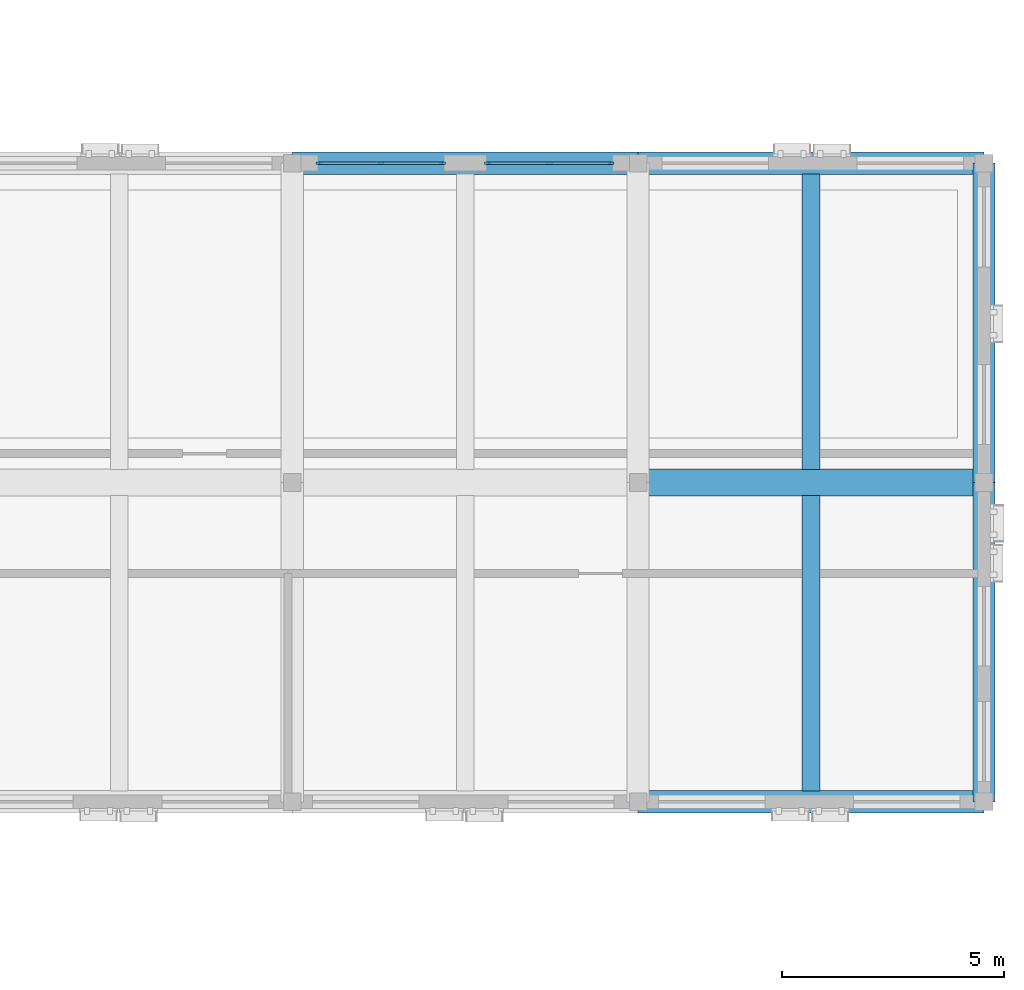
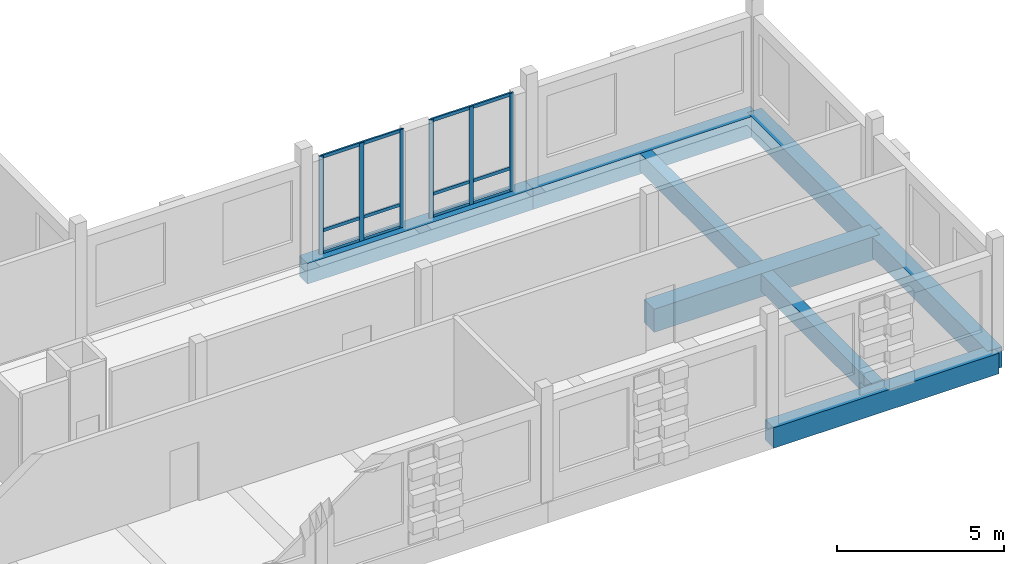
# One storey, part 42 of 99: 12 members, 8 beams, 2 elements without a shape of their own.
"""IFC4 building model written with IfcOpenShell, lengths in metres."""

import ifcopenshell
import ifcopenshell.guid

model = None  # the IFC model being written
_history = None  # IfcOwnerHistory: only IFC2X3 demands one
_inside = {}  # id of a spatial element -> (the spatial element, [elements in it])
_under = {}  # id of a project, library or spatial element -> (it, [spatial elements below it])
_declared = {}  # id of a project -> (the project, [libraries it declares])
_typed = {}  # id of a type object -> (the type object, [elements of that type])
_made_of = {}  # id of a material, layer set ... -> (it, [elements and type objects made of it])


def new_model(schema):
    """Start an empty IFC model of exactly this schema.

    Asked for "IFC4X3", IfcOpenShell would pick the latest addendum, in which some entities
    have other attributes; the version numbers below select the first issue.
    IFC2X3 requires an IfcOwnerHistory on every rooted entity: one is made here for all.
    """
    global model, _history
    if schema == "IFC4X3":
        model = ifcopenshell.file(schema_version=(4, 3, 0, 0))
    else:
        model = ifcopenshell.file(schema=schema)
    _inside.clear()
    _under.clear()
    _declared.clear()
    _typed.clear()
    _made_of.clear()
    _history = None
    if model.schema == "IFC2X3":
        org = make("IfcOrganization", Name="unknown")
        user = make(
            "IfcPersonAndOrganization",
            ThePerson=make("IfcPerson", FamilyName="unknown"),
            TheOrganization=org,
        )
        app = make(
            "IfcApplication",
            ApplicationDeveloper=org,
            Version="unknown",
            ApplicationFullName="unknown",
            ApplicationIdentifier="unknown",
        )
        _history = make(
            "IfcOwnerHistory",
            OwningUser=user,
            OwningApplication=app,
            ChangeAction="ADDED",
            CreationDate=0,
        )
    return model


def make(cls, **values):
    """One entity of the class cls with the attributes given. An attribute that is None is left unset."""
    return model.create_entity(
        cls, **{name: value for name, value in values.items() if value is not None}
    )


def rooted(cls, **values):
    """An entity with a GlobalId (a new one), such as an element, a storey or a relation."""
    return make(cls, GlobalId=ifcopenshell.guid.new(), OwnerHistory=_history, **values)


def si_unit(unit_type, name, prefix=None):
    """IfcSIUnit, for example si_unit("LENGTHUNIT", "METRE", prefix="MILLI")."""
    return make("IfcSIUnit", UnitType=unit_type, Prefix=prefix, Name=name)


def assignment(units):
    """IfcUnitAssignment: the units of a project."""
    return None if units is None else make("IfcUnitAssignment", Units=units)


def point(xyz):
    """IfcCartesianPoint."""
    return None if xyz is None else make("IfcCartesianPoint", Coordinates=xyz)


def direction(xyz):
    """IfcDirection."""
    return None if xyz is None else make("IfcDirection", DirectionRatios=xyz)


def frame(location, z_axis=None, x_axis=None):
    """IfcAxis2Placement3D, a coordinate frame: its origin and axes. An axis left out is left unset."""
    return make(
        "IfcAxis2Placement3D",
        Location=point(location),
        Axis=direction(z_axis),
        RefDirection=direction(x_axis),
    )


def frame_2d(location, x_axis=None):
    """IfcAxis2Placement2D, a coordinate frame in the plane: its origin and x axis."""
    return make(
        "IfcAxis2Placement2D", Location=point(location), RefDirection=direction(x_axis)
    )


def origin():
    """The frame at (0, 0, 0) with its axes left unset."""
    return frame((0.0, 0.0, 0.0))


def origin_2d():
    """The frame at (0, 0) in the plane with its x axis left unset."""
    return frame_2d((0.0, 0.0))


def place(relative_to, where):
    """IfcLocalPlacement: puts the frame where relative to a parent placement (None: the world)."""
    return make(
        "IfcLocalPlacement", PlacementRelTo=relative_to, RelativePlacement=where
    )


def context(
    kind, dimensions, precision=None, world=None, true_north=None, identifier=None
):
    """IfcGeometricRepresentationContext, for example the 3D "Model" context."""
    return make(
        "IfcGeometricRepresentationContext",
        ContextIdentifier=identifier,
        ContextType=kind,
        CoordinateSpaceDimension=dimensions,
        Precision=precision,
        WorldCoordinateSystem=world,
        TrueNorth=true_north,
    )


def subcontext(parent, identifier, kind, view, scale=None):
    """IfcGeometricRepresentationSubContext, for example "Body" below "Model"."""
    return make(
        "IfcGeometricRepresentationSubContext",
        ContextIdentifier=identifier,
        ContextType=kind,
        ParentContext=parent,
        TargetScale=scale,
        TargetView=view,
    )


def project(units=None, contexts=None):
    """IfcProject with its units and contexts."""
    return rooted(
        "IfcProject",
        Name="project",
        RepresentationContexts=contexts,
        UnitsInContext=assignment(units),
    )


def spatial(cls, under=None, at=None, **own):
    """A site, building, storey or space (cls), placed at a placement, below another one or the project."""
    s = rooted(cls, ObjectPlacement=at, **own)
    if under is not None:
        _under.setdefault(under.id(), (under, []))[1].append(s)
    return s


def profile(cls, at=None, kind="AREA", **sizes):
    """A parametric profile (cls). Its sizes go by their IFC names, for example OverallWidth=200.0."""
    return make(cls, ProfileType=kind, Position=at, **sizes)


def rectangle(**sizes):
    """IfcRectangleProfileDef."""
    return profile("IfcRectangleProfileDef", **sizes)


def extrude(swept, where, along, depth):
    """IfcExtrudedAreaSolid: the profile swept, set in the frame where, extruded along a direction by depth."""
    return make(
        "IfcExtrudedAreaSolid",
        SweptArea=swept,
        Position=where,
        ExtrudedDirection=direction(along),
        Depth=depth,
    )


def shape(context_of_items, identifier, shape_type, items):
    """IfcShapeRepresentation: the items that make up one representation, for example the "Body"."""
    return make(
        "IfcShapeRepresentation",
        ContextOfItems=context_of_items,
        RepresentationIdentifier=identifier,
        RepresentationType=shape_type,
        Items=items,
    )


def material(Name=None, Category=None):
    """IfcMaterial."""
    return make("IfcMaterial", Name=Name, Category=Category)


def material_profile(
    of_material, cross_section, Name=None, Category=None, Priority=None
):
    """IfcMaterialProfile: a cross section and its material."""
    return make(
        "IfcMaterialProfile",
        Name=Name,
        Material=of_material,
        Profile=cross_section,
        Priority=Priority,
        Category=Category,
    )


def profile_set(profiles, Name=None, composite=None):
    """IfcMaterialProfileSet."""
    return make(
        "IfcMaterialProfileSet",
        Name=Name,
        MaterialProfiles=profiles,
        CompositeProfile=composite,
    )


def made_of(thing, what):
    """Note that an element or type object is made of a material, layer set ...; save() writes the relation."""
    if what is not None:
        _made_of.setdefault(what.id(), (what, []))[1].append(thing)
    return thing


def type_object(cls, material=None, **own):
    """A type object (cls), such as IfcWallType, which elements share."""
    return made_of(rooted(cls, **own), material)


def element(
    cls,
    number,
    at=None,
    inside=None,
    cuts=None,
    type_object=None,
    material=None,
    context=None,
    identifier="Body",
    shape_type=None,
    held_by="IfcProductDefinitionShape",
    body=None,
    shapes=None,
    **own,
):
    """One element of the class cls, such as IfcWall. Its Tag is "e" and its number.

    at: its placement. inside: the storey or other place that contains it. cuts: it is an
    opening in that element (IfcRelVoidsElement). A single representation is given by context,
    identifier, shape_type and body (its items); several are given by shapes. held_by: the class
    of the entity that holds the representations. save() writes the other relations.
    """
    e = rooted(cls, Tag="e%d" % number, ObjectPlacement=at, **own)
    if body is not None:
        shapes = [shape(context, identifier, shape_type, body)]
    if shapes is not None:
        e.Representation = make(held_by, Representations=shapes)
    if inside is not None:
        _inside.setdefault(inside.id(), (inside, []))[1].append(e)
    if cuts is not None:
        rooted(
            "IfcRelVoidsElement", RelatingBuildingElement=cuts, RelatedOpeningElement=e
        )
    if type_object is not None:
        _typed.setdefault(type_object.id(), (type_object, []))[1].append(e)
    return made_of(e, material)


def aggregate(whole, parts):
    """IfcRelAggregates: a whole, such as a stair, and the parts it consists of."""
    return rooted("IfcRelAggregates", RelatingObject=whole, RelatedObjects=parts)


def save(model, path):
    """Write the relations noted so far, then the file.

    IfcRelAggregates (storeys below a building ...), IfcRelContainedInSpatialStructure (elements
    in a storey), IfcRelDefinesByType, IfcRelAssociatesMaterial and IfcRelDeclares: one each for
    every whole, place, type object, material and project.
    """
    for whole, parts in _under.values():
        aggregate(whole, parts)
    for where, things in _inside.values():
        rooted(
            "IfcRelContainedInSpatialStructure",
            RelatedElements=things,
            RelatingStructure=where,
        )
    for kind, things in _typed.values():
        rooted("IfcRelDefinesByType", RelatedObjects=things, RelatingType=kind)
    for what, things in _made_of.values():
        rooted("IfcRelAssociatesMaterial", RelatedObjects=things, RelatingMaterial=what)
    for by, libraries in _declared.values():
        rooted("IfcRelDeclares", RelatingContext=by, RelatedDefinitions=libraries)
    model.write(path)


model = new_model("IFC4")

# Units and contexts
model_context = context("Model", 3, precision=1e-05, world=origin(), true_north=direction((0.0, 1.0)))
body_context = subcontext(model_context, "Body", "Model", "MODEL_VIEW")
ifc_project = project(units=[si_unit("LENGTHUNIT", "METRE"), si_unit("AREAUNIT", "SQUARE_METRE"), si_unit("VOLUMEUNIT", "CUBIC_METRE"), si_unit("PLANEANGLEUNIT", "RADIAN"), si_unit("MASSUNIT", "GRAM", prefix="KILO")], contexts=[model_context])

# Site, building, storey
site_placement = place(None, origin())
site = spatial("IfcSite", under=ifc_project, at=site_placement, CompositionType="ELEMENT")
building_placement = place(site_placement, origin())
building = spatial("IfcBuilding", under=site, at=building_placement, Name="Kahlenmark Community Centre", CompositionType="ELEMENT")
storey_placement = place(building_placement, frame((0.0, 0.0, 5.39990234375)))
storey = spatial("IfcBuildingStorey", under=building, at=storey_placement, Name="L01", CompositionType="ELEMENT", Elevation=5.39990234375)

# Beams
ifc_material_1 = material(Name="Concrete C35/45", Category="concrete")
ifc_material_profile_1 = material_profile(ifc_material_1, rectangle(XDim=0.60009765625, YDim=0.85009765625, at=origin_2d()), Name="RC 600x850")
ifc_profile_set_1 = profile_set([ifc_material_profile_1], Name="Concrete C35/45")
beam_type_1 = type_object("IfcBeamType", Name="BT-BEAM-RC600x850", PredefinedType="BEAM", material=ifc_profile_set_1)
beam_1_placement = place(storey_placement, frame((160.60009765625, 16.0, -0.4248046875), z_axis=(1.0, 0.0, 0.0), x_axis=(0.0, 1.0, 0.0)))
element("IfcBeam", 1, at=beam_1_placement, inside=storey, type_object=beam_type_1, Name="L01 beam BG-RC600x850", PredefinedType="BEAM", context=body_context, shape_type="SweptSolid", body=[
    extrude(rectangle(XDim=0.60009765625, YDim=0.85009765625, at=origin_2d()), origin(), (0.0, 0.0, 1.0), 7.7998046875),
])
ifc_material_profile_2 = material_profile(ifc_material_1, rectangle(XDim=0.39990234375, YDim=0.64990234375, at=origin_2d()), Name="RC 400x650")
ifc_profile_set_2 = profile_set([ifc_material_profile_2], Name="Concrete C35/45")
beam_type_2 = type_object("IfcBeamType", Name="BT-JOIST-RC400x650", PredefinedType="JOIST", material=ifc_profile_set_2)
for number, where, z_axis, x_axis, name in (
    (2, (164.5, 9.048095703125, -0.324951171875), (0.0, 1.0, 0.0), (-1.0, 0.0, 0.0), "L01 joist BJ-RC400x650"),
    (3, (164.5, 16.298095703125, -0.324951171875), (0.0, 1.0, 0.0), (-1.0, 0.0, 0.0), "L01 joist BJ-RC400x650"),
):
    element("IfcBeam", number, at=place(storey_placement, frame(where, z_axis=z_axis, x_axis=x_axis)), inside=storey, type_object=beam_type_2, Name=name, PredefinedType="JOIST", context=body_context, shape_type="SweptSolid", body=[
        extrude(rectangle(XDim=0.39990234375, YDim=0.64990234375, at=origin_2d()), origin(), (0.0, 0.0, 1.0), 6.65380859375),
    ])
ifc_material_profile_3 = material_profile(ifc_material_1, rectangle(XDim=0.5, YDim=0.75, at=origin_2d()), Name="RC 500x750")
ifc_profile_set_3 = profile_set([ifc_material_profile_3], Name="Concrete C35/45")
beam_type_3 = type_object("IfcBeamType", Name="BT-SPANDREL-RC500x750", PredefinedType="SPANDREL", material=ifc_profile_set_3)
beam_2_placement = place(storey_placement, frame((160.60009765625, 8.800048828125, -0.375), z_axis=(1.0, 0.0, 0.0), x_axis=(0.0, 1.0, 0.0)))
element("IfcBeam", 4, at=beam_2_placement, inside=storey, type_object=beam_type_3, Name="L01 spandrel SP-RC500x750", PredefinedType="SPANDREL", context=body_context, shape_type="SweptSolid", body=[
    extrude(rectangle(XDim=0.5, YDim=0.75, at=origin_2d()), origin(), (0.0, 0.0, 1.0), 7.7998046875),
])
beam_3_placement = place(storey_placement, frame((152.800048828125, 23.199951171875, -0.375), z_axis=(1.0, 0.0, 0.0), x_axis=(0.0, 1.0, 0.0)))
element("IfcBeam", 5, at=beam_3_placement, inside=storey, type_object=beam_type_3, Name="L01 spandrel SP-RC500x750", PredefinedType="SPANDREL", context=body_context, shape_type="SweptSolid", body=[
    extrude(rectangle(XDim=0.5, YDim=0.75, at=origin_2d()), origin(), (0.0, 0.0, 1.0), 7.800048828125),
])
beam_4_placement = place(storey_placement, frame((160.60009765625, 23.199951171875, -0.375), z_axis=(1.0, 0.0, 0.0), x_axis=(0.0, 1.0, 0.0)))
element("IfcBeam", 6, at=beam_4_placement, inside=storey, type_object=beam_type_3, Name="L01 spandrel SP-RC500x750", PredefinedType="SPANDREL", context=body_context, shape_type="SweptSolid", body=[
    extrude(rectangle(XDim=0.5, YDim=0.75, at=origin_2d()), origin(), (0.0, 0.0, 1.0), 7.7998046875),
])
for number, where, z_axis, x_axis, name in (
    (7, (168.39990234375, 8.800048828125, -0.375), (0.0, 1.0, 0.0), (-1.0, 0.0, 0.0), "L01 spandrel SP-RC500x750"),
    (8, (168.39990234375, 16.0, -0.375), (0.0, 1.0, 0.0), (-1.0, 0.0, 0.0), "L01 spandrel SP-RC500x750"),
):
    element("IfcBeam", number, at=place(storey_placement, frame(where, z_axis=z_axis, x_axis=x_axis)), inside=storey, type_object=beam_type_3, Name=name, PredefinedType="SPANDREL", context=body_context, shape_type="SweptSolid", body=[
        extrude(rectangle(XDim=0.5, YDim=0.75, at=origin_2d()), origin(), (0.0, 0.0, 1.0), 7.199951171875),
    ])

# Curtain wall, members
ifc_material_2 = material(Name="Anodised aluminium unitised curtain wall", Category="aluminium")
curtain_wall_type = type_object("IfcCurtainWallType", Name="CWT-UNIT-284X359", PredefinedType="USERDEFINED", material=ifc_material_2)
curtain_wall_1_placement = place(storey_placement, origin())
curtain_wall_1 = element("IfcCurtainWall", 9, at=curtain_wall_1_placement, inside=storey, type_object=curtain_wall_type, Name="Unitised curtain wall CW-050", ObjectType="UNITISED CURTAIN WALL", PredefinedType="USERDEFINED")
ifc_material_3 = material(Name="Anodised aluminium 6063-T6", Category="aluminium")
ifc_material_profile_4 = material_profile(ifc_material_3, rectangle(XDim=0.06005859375, YDim=0.139892578125, at=origin_2d()), Name="ALU MULLION 60x140")
ifc_profile_set_4 = profile_set([ifc_material_profile_4], Name="Anodised aluminium 6063-T6")
member_type_1 = type_object("IfcMemberType", Name="MT-MUL-140", PredefinedType="MULLION", material=ifc_profile_set_4)
member_1_placement = place(storey_placement, frame((159.989990234375, 23.199951171875, 0.0), z_axis=(0.0, 0.0, 1.0), x_axis=(0.0, -1.0, 0.0)))
member_1 = element("IfcMember", 10, at=member_1_placement, type_object=member_type_1, Name="CW-050 mullion 1", PredefinedType="MULLION", context=body_context, shape_type="SweptSolid", body=[
    extrude(rectangle(XDim=0.06005859375, YDim=0.139892578125, at=origin_2d()), origin(), (0.0, 0.0, 1.0), 3.590087890625),
])
member_2_placement = place(storey_placement, frame((158.60009765625, 23.199951171875, 0.0), z_axis=(0.0, 0.0, 1.0), x_axis=(0.0, -1.0, 0.0)))
member_2 = element("IfcMember", 11, at=member_2_placement, type_object=member_type_1, Name="CW-050 mullion 2", PredefinedType="MULLION", context=body_context, shape_type="SweptSolid", body=[
    extrude(rectangle(XDim=0.06005859375, YDim=0.139892578125, at=origin_2d()), origin(), (0.0, 0.0, 1.0), 3.590087890625),
])
member_3_placement = place(storey_placement, frame((157.2099609375, 23.199951171875, 0.0), z_axis=(0.0, 0.0, 1.0), x_axis=(0.0, -1.0, 0.0)))
member_3 = element("IfcMember", 12, at=member_3_placement, type_object=member_type_1, Name="CW-050 mullion 3", PredefinedType="MULLION", context=body_context, shape_type="SweptSolid", body=[
    extrude(rectangle(XDim=0.06005859375, YDim=0.139892578125, at=origin_2d()), origin(), (0.0, 0.0, 1.0), 3.590087890625),
])

curtain_wall_2_placement = place(storey_placement, origin())
curtain_wall_2 = element("IfcCurtainWall", 13, at=curtain_wall_2_placement, inside=storey, type_object=curtain_wall_type, Name="Unitised curtain wall CW-051", ObjectType="UNITISED CURTAIN WALL", PredefinedType="USERDEFINED")
member_4_placement = place(storey_placement, frame((156.18994140625, 23.199951171875, 0.0), z_axis=(0.0, 0.0, 1.0), x_axis=(0.0, -1.0, 0.0)))
member_4 = element("IfcMember", 14, at=member_4_placement, type_object=member_type_1, Name="CW-051 mullion 1", PredefinedType="MULLION", context=body_context, shape_type="SweptSolid", body=[
    extrude(rectangle(XDim=0.06005859375, YDim=0.139892578125, at=origin_2d()), origin(), (0.0, 0.0, 1.0), 3.590087890625),
])
member_5_placement = place(storey_placement, frame((154.800048828125, 23.199951171875, 0.0), z_axis=(0.0, 0.0, 1.0), x_axis=(0.0, -1.0, 0.0)))
member_5 = element("IfcMember", 15, at=member_5_placement, type_object=member_type_1, Name="CW-051 mullion 2", PredefinedType="MULLION", context=body_context, shape_type="SweptSolid", body=[
    extrude(rectangle(XDim=0.06005859375, YDim=0.139892578125, at=origin_2d()), origin(), (0.0, 0.0, 1.0), 3.590087890625),
])
member_6_placement = place(storey_placement, frame((153.409912109375, 23.199951171875, 0.0), z_axis=(0.0, 0.0, 1.0), x_axis=(0.0, -1.0, 0.0)))
member_6 = element("IfcMember", 16, at=member_6_placement, type_object=member_type_1, Name="CW-051 mullion 3", PredefinedType="MULLION", context=body_context, shape_type="SweptSolid", body=[
    extrude(rectangle(XDim=0.06005859375, YDim=0.139892578125, at=origin_2d()), origin(), (0.0, 0.0, 1.0), 3.590087890625),
])

# Member
ifc_material_profile_5 = material_profile(ifc_material_3, rectangle(XDim=0.06005859375, YDim=0.1201171875, at=origin_2d()), Name="ALU TRANSOM 60x120")
ifc_profile_set_5 = profile_set([ifc_material_profile_5], Name="Anodised aluminium 6063-T6")
member_type_2 = type_object("IfcMemberType", Name="MT-TRN-120", PredefinedType="USERDEFINED", material=ifc_profile_set_5)
member_7_placement = place(storey_placement, frame((159.989990234375, 23.199951171875, 0.0400390625), z_axis=(-1.0, 0.0, 0.0), x_axis=(0.0, -1.0, 0.0)))
member_7 = element("IfcMember", 17, at=member_7_placement, type_object=member_type_2, Name="CW-050 transom 1", ObjectType="TRANSOM", PredefinedType="USERDEFINED", context=body_context, shape_type="SweptSolid", body=[
    extrude(rectangle(XDim=0.06005859375, YDim=0.1201171875, at=origin_2d()), origin(), (0.0, 0.0, 1.0), 2.780029296875),
])

member_8_placement = place(storey_placement, frame((159.989990234375, 23.199951171875, 0.85009765625), z_axis=(-1.0, 0.0, 0.0), x_axis=(0.0, -1.0, 0.0)))
member_8 = element("IfcMember", 18, at=member_8_placement, type_object=member_type_2, Name="CW-050 transom 2", ObjectType="TRANSOM", PredefinedType="USERDEFINED", context=body_context, shape_type="SweptSolid", body=[
    extrude(rectangle(XDim=0.06005859375, YDim=0.1201171875, at=origin_2d()), origin(), (0.0, 0.0, 1.0), 2.780029296875),
])

member_9_placement = place(storey_placement, frame((159.989990234375, 23.199951171875, 3.550048828125), z_axis=(-1.0, 0.0, 0.0), x_axis=(0.0, -1.0, 0.0)))
member_9 = element("IfcMember", 19, at=member_9_placement, type_object=member_type_2, Name="CW-050 transom 3", ObjectType="TRANSOM", PredefinedType="USERDEFINED", context=body_context, shape_type="SweptSolid", body=[
    extrude(rectangle(XDim=0.06005859375, YDim=0.1201171875, at=origin_2d()), origin(), (0.0, 0.0, 1.0), 2.780029296875),
])

aggregate(curtain_wall_1, [member_1, member_2, member_3, member_7, member_8, member_9])

member_10_placement = place(storey_placement, frame((156.18994140625, 23.199951171875, 0.0400390625), z_axis=(-1.0, 0.0, 0.0), x_axis=(0.0, -1.0, 0.0)))
member_10 = element("IfcMember", 20, at=member_10_placement, type_object=member_type_2, Name="CW-051 transom 1", ObjectType="TRANSOM", PredefinedType="USERDEFINED", context=body_context, shape_type="SweptSolid", body=[
    extrude(rectangle(XDim=0.06005859375, YDim=0.1201171875, at=origin_2d()), origin(), (0.0, 0.0, 1.0), 2.780029296875),
])

member_11_placement = place(storey_placement, frame((156.18994140625, 23.199951171875, 0.85009765625), z_axis=(-1.0, 0.0, 0.0), x_axis=(0.0, -1.0, 0.0)))
member_11 = element("IfcMember", 21, at=member_11_placement, type_object=member_type_2, Name="CW-051 transom 2", ObjectType="TRANSOM", PredefinedType="USERDEFINED", context=body_context, shape_type="SweptSolid", body=[
    extrude(rectangle(XDim=0.06005859375, YDim=0.1201171875, at=origin_2d()), origin(), (0.0, 0.0, 1.0), 2.780029296875),
])

member_12_placement = place(storey_placement, frame((156.18994140625, 23.199951171875, 3.550048828125), z_axis=(-1.0, 0.0, 0.0), x_axis=(0.0, -1.0, 0.0)))
member_12 = element("IfcMember", 22, at=member_12_placement, type_object=member_type_2, Name="CW-051 transom 3", ObjectType="TRANSOM", PredefinedType="USERDEFINED", context=body_context, shape_type="SweptSolid", body=[
    extrude(rectangle(XDim=0.06005859375, YDim=0.1201171875, at=origin_2d()), origin(), (0.0, 0.0, 1.0), 2.780029296875),
])

aggregate(curtain_wall_2, [member_4, member_5, member_6, member_10, member_11, member_12])

save(model, "model.ifc")
